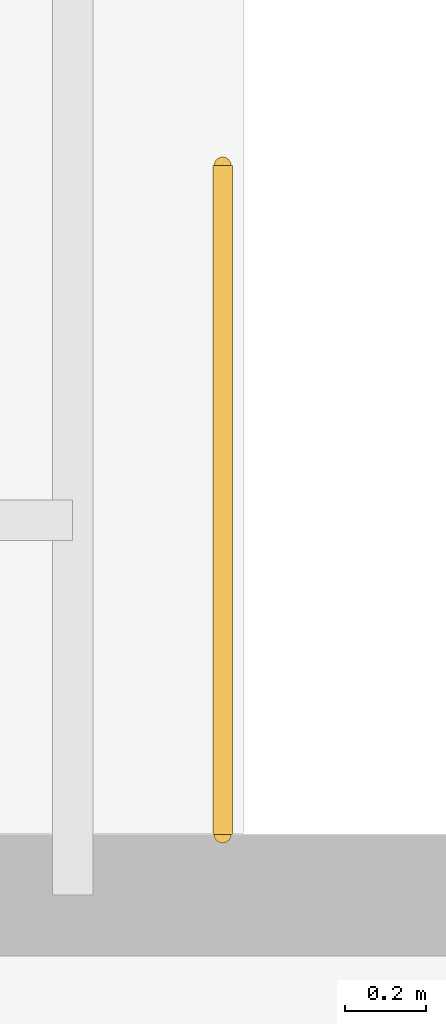
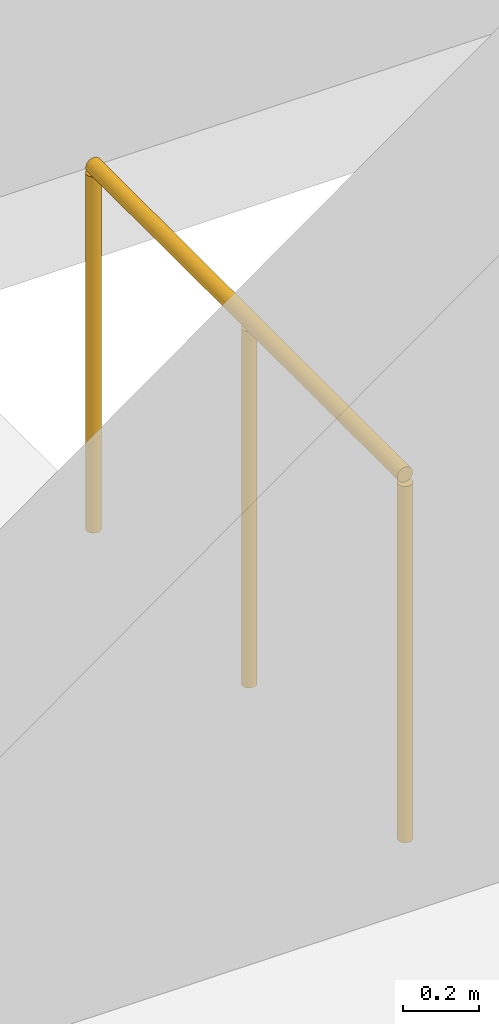
# One storey, part 25 of 25: 1 railing.
"""IFC4 building model written with IfcOpenShell, lengths in metres."""

from ifc_helpers import new_model, si_unit, direction, frame, origin, origin_2d, place, context, subcontext, project, spatial, circle, extrude, material, type_object, element, save


model = new_model("IFC4")

# Units and contexts
model_context = context("Model", 3, precision=1e-05, world=origin(), true_north=direction((0.0, 1.0)))
body_context = subcontext(model_context, "Body", "Model", "MODEL_VIEW")
ifc_project = project(units=[si_unit("LENGTHUNIT", "METRE"), si_unit("AREAUNIT", "SQUARE_METRE"), si_unit("VOLUMEUNIT", "CUBIC_METRE"), si_unit("PLANEANGLEUNIT", "RADIAN"), si_unit("MASSUNIT", "GRAM", prefix="KILO")], contexts=[model_context])

# Site, building, storey
site_placement = place(None, origin())
site = spatial("IfcSite", under=ifc_project, at=site_placement, CompositionType="ELEMENT")
building_placement = place(site_placement, origin())
building = spatial("IfcBuilding", under=site, at=building_placement, Name="Qiaolan Cultural Towers", CompositionType="ELEMENT")
storey_placement = place(building_placement, frame((0.0, 0.0, 22.0)))
storey = spatial("IfcBuildingStorey", under=building, at=storey_placement, Name="L04", CompositionType="ELEMENT", Elevation=22.0)

# Railing
ifc_material = material(Name="Galvanized Painted Steel Stair Guardrail", Category="steel")
railing_type = type_object("IfcRailingType", Name="RL-STAIR-GRD", PredefinedType="GUARDRAIL", material=ifc_material)
railing_placement = place(storey_placement, frame((109.949951171875, 58.199951171875, 0.0)))
element("IfcRailing", 1, at=railing_placement, inside=storey, type_object=railing_type, Name="L04 ST-P2 top well guard 1", PredefinedType="GUARDRAIL", context=body_context, shape_type="SweptSolid", body=[
    extrude(circle(Radius=0.02392578125, at=origin_2d()), frame((0.0, 0.0, 1.17578125), z_axis=(0.0, 1.0, 0.0), x_axis=(-1.0, 0.0, 0.0)), (0.0, 0.0, 1.0), 1.650146484375),
    extrude(circle(Radius=0.02099609375, at=origin_2d()), origin(), (0.0, 0.0, 1.0), 1.15185546875),
    extrude(circle(Radius=0.02099609375, at=origin_2d()), frame((0.0, 0.8251953125, 0.0)), (0.0, 0.0, 1.0), 1.15185546875),
    extrude(circle(Radius=0.02099609375, at=origin_2d()), frame((0.0, 1.650146484375, 0.0)), (0.0, 0.0, 1.0), 1.15185546875),
])

save(model, "model.ifc")
